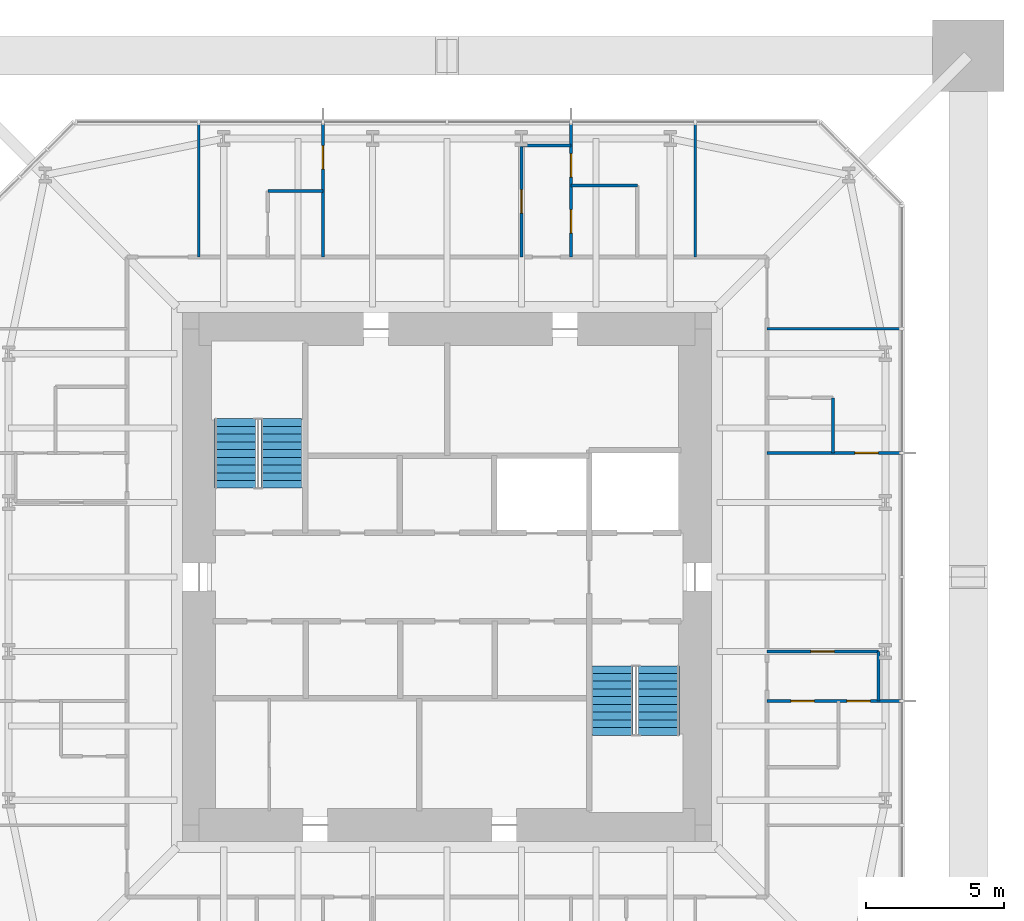
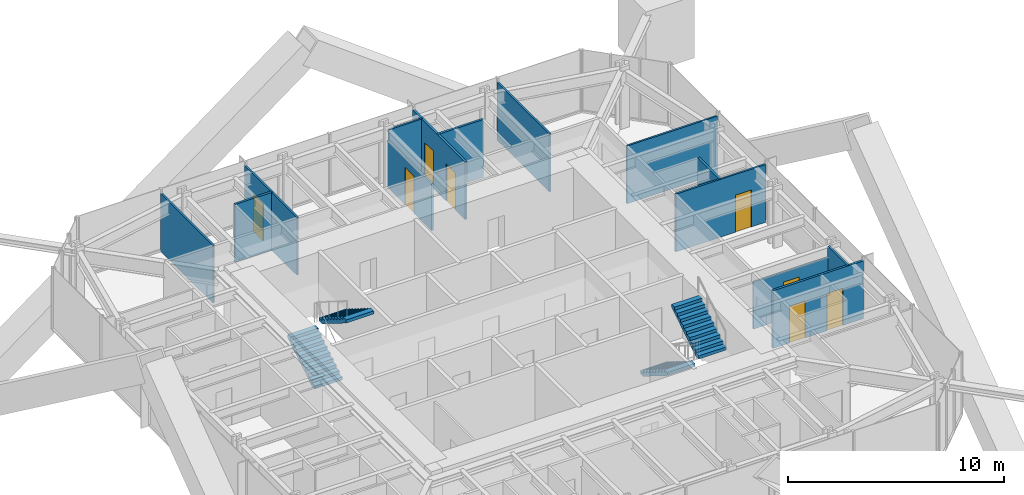
# One storey, part 9 of 10: 14 walls, 8 doors, 4 stair flights, 8 openings, 2 elements without a shape of their own.
"""IFC4 building model written with IfcOpenShell, lengths in metres."""

from ifc_helpers import new_model, si_unit, direction, frame, frame_2d, origin, place, context, subcontext, project, spatial, polyline, rectangle, outline, extrude, material, layer, layer_set, constituent, constituent_set, type_object, element, fill, aggregate, save


model = new_model("IFC4")

# Units and contexts
model_context = context("Model", 3, precision=1e-05, world=origin(), true_north=direction((0.0, 1.0)))
body_context = subcontext(model_context, "Body", "Model", "MODEL_VIEW")
ifc_project = project(units=[si_unit("LENGTHUNIT", "METRE"), si_unit("AREAUNIT", "SQUARE_METRE"), si_unit("VOLUMEUNIT", "CUBIC_METRE"), si_unit("PLANEANGLEUNIT", "RADIAN"), si_unit("MASSUNIT", "GRAM", prefix="KILO")], contexts=[model_context])

# Site, building, storey
site_placement = place(None, origin())
site = spatial("IfcSite", under=ifc_project, at=site_placement, CompositionType="ELEMENT")
building_placement = place(site_placement, origin())
building = spatial("IfcBuilding", under=site, at=building_placement, Name="Iwan Alto Co-Living Towers", CompositionType="ELEMENT")
storey_placement = place(building_placement, frame((0.0, 0.0, 246.5)))
storey = spatial("IfcBuildingStorey", under=building, at=storey_placement, Name="L67", CompositionType="ELEMENT", Elevation=246.5)

# Wall, opening, door
ifc_material_1 = material(Name="Gypsum board")
ifc_layer_1 = layer(ifc_material_1, 0.012451171875, Name="Board", Category="Finish")
ifc_material_2 = material(Name="Steel ASTM A1003 ST33H cold-formed studs", Category="steel")
ifc_layer_2 = layer(ifc_material_2, 0.074951171875, Name="Studs", Category="Framing")
ifc_layer_3 = layer(ifc_material_1, 0.012451171875, Name="Board", Category="Finish")
ifc_layer_set_1 = layer_set([ifc_layer_1, ifc_layer_2, ifc_layer_3], Name="PARTITION 100")
wall_type_1 = type_object("IfcWallType", Name="PARTITION 100", PredefinedType="PARTITIONING", material=ifc_layer_set_1)
wall_1_placement = place(storey_placement, frame((11.60009765625, -2.699951171875, 0.0), z_axis=(0.0, 0.0, 1.0), x_axis=(1.0, 0.0, 0.0)))
wall_1 = element("IfcWall", 1, at=wall_1_placement, inside=storey, type_object=wall_type_1, Name="Partition L67", PredefinedType="PARTITIONING", context=body_context, shape_type="SweptSolid", body=[
    extrude(rectangle(XDim=4.0498046875, YDim=0.10009765625, at=frame_2d((2.02490234375, 0.0))), origin(), (0.0, 0.0, 1.0), 2.662841796875),
])
opening_1_placement = place(wall_1_placement, frame((1.60009765625, 0.0, 0.0)))
opening_1 = element("IfcOpeningElement", 2, at=opening_1_placement, cuts=wall_1, Name="Opening D2", PredefinedType="OPENING", context=body_context, shape_type="SweptSolid", body=[
    extrude(rectangle(XDim=0.85009765625, YDim=2.10009765625, at=frame_2d((0.425048828125, 1.050048828125))), frame((0.0, 0.06005859375, 0.0), z_axis=(0.0, -1.0, 0.0), x_axis=(1.0, 0.0, 0.0)), (0.0, 0.0, 1.0), 0.1201171875),
])
ifc_material_3 = material(Name="Timber leaf in steel frame", Category="steel")
door_type = type_object("IfcDoorType", Name="ROOM DOOR 850X2100", OperationType="SINGLE_SWING_LEFT", PredefinedType="DOOR", material=ifc_material_3)
door_1_placement = place(opening_1_placement, origin())
door_1 = element("IfcDoor", 3, at=door_1_placement, inside=storey, type_object=door_type, Name="Apartment foyer door L67", OperationType="SINGLE_SWING_RIGHT", OverallHeight=2.10009765625, OverallWidth=0.85009765625, PredefinedType="DOOR", context=body_context, shape_type="SweptSolid", body=[
    extrude(rectangle(XDim=0.85009765625, YDim=2.10009765625, at=frame_2d((0.425048828125, 1.050048828125))), frame((0.0, 0.02490234375, 0.0), z_axis=(0.0, -1.0, 0.0), x_axis=(1.0, 0.0, 0.0)), (0.0, 0.0, 1.0), 0.050048828125),
])
fill(opening_1, door_1)

wall_2_placement = place(storey_placement, frame((11.60009765625, 4.5, 0.0), z_axis=(0.0, 0.0, 1.0), x_axis=(1.0, 0.0, 0.0)))
wall_2 = element("IfcWall", 4, at=wall_2_placement, inside=storey, type_object=wall_type_1, Name="Partition L67", PredefinedType="PARTITIONING", context=body_context, shape_type="SweptSolid", body=[
    extrude(rectangle(XDim=4.83984375, YDim=0.10009765625, at=frame_2d((2.419921875, 0.0))), origin(), (0.0, 0.0, 1.0), 3.27001953125),
])
opening_2_placement = place(wall_2_placement, frame((3.195068359375, 0.0, 0.0)))
opening_2 = element("IfcOpeningElement", 5, at=opening_2_placement, cuts=wall_2, Name="Opening D2", PredefinedType="OPENING", context=body_context, shape_type="SweptSolid", body=[
    extrude(rectangle(XDim=0.85009765625, YDim=2.10009765625, at=frame_2d((0.425048828125, 1.050048828125))), frame((0.0, 0.06005859375, 0.0), z_axis=(0.0, -1.0, 0.0), x_axis=(1.0, 0.0, 0.0)), (0.0, 0.0, 1.0), 0.1201171875),
])
door_2_placement = place(opening_2_placement, frame((0.85009765625, 0.0, 0.0), z_axis=(0.0, 0.0, 1.0), x_axis=(-1.0, 0.0, 0.0)))
door_2 = element("IfcDoor", 6, at=door_2_placement, inside=storey, type_object=door_type, Name="Bedroom door L67", OperationType="SINGLE_SWING_LEFT", OverallHeight=2.10009765625, OverallWidth=0.85009765625, PredefinedType="DOOR", context=body_context, shape_type="SweptSolid", body=[
    extrude(rectangle(XDim=0.85009765625, YDim=2.10009765625, at=frame_2d((0.425048828125, 1.050048828125))), frame((0.0, 0.02490234375, 0.0), z_axis=(0.0, -1.0, 0.0), x_axis=(1.0, 0.0, 0.0)), (0.0, 0.0, 1.0), 0.050048828125),
])
fill(opening_2, door_2)

# Walls
wall_3_placement = place(storey_placement, frame((11.60009765625, 9.0, 0.0), z_axis=(0.0, 0.0, 1.0), x_axis=(1.0, 0.0, 0.0)))
element("IfcWall", 7, at=wall_3_placement, inside=storey, type_object=wall_type_1, Name="Partition L67", PredefinedType="PARTITIONING", context=body_context, shape_type="SweptSolid", body=[
    extrude(rectangle(XDim=4.83984375, YDim=0.10009765625, at=frame_2d((2.419921875, 0.0))), origin(), (0.0, 0.0, 1.0), 3.27001953125),
])
for number, where, z_axis, x_axis, name in (
    (8, (2.699951171875, 15.64990234375, 0.0), (0.0, 0.0, 1.0), (1.0, 0.0, 0.0), "Partition L67"),
    (9, (15.64990234375, -4.5, 0.0), (0.0, 0.0, 1.0), (0.0, 1.0, 0.0), "Partition L67"),
):
    element("IfcWall", number, at=place(storey_placement, frame(where, z_axis=z_axis, x_axis=x_axis)), inside=storey, type_object=wall_type_1, Name=name, PredefinedType="PARTITIONING", context=body_context, shape_type="SweptSolid", body=[
        extrude(rectangle(XDim=1.800048828125, YDim=0.10009765625, at=frame_2d((0.89990234375, 0.0))), origin(), (0.0, 0.0, 1.0), 3.27001953125),
    ])
wall_4_placement = place(storey_placement, frame((9.0, 11.60009765625, 0.0), z_axis=(0.0, 0.0, 1.0), x_axis=(0.0, 1.0, 0.0)))
element("IfcWall", 10, at=wall_4_placement, inside=storey, type_object=wall_type_1, Name="Partition L67", PredefinedType="PARTITIONING", context=body_context, shape_type="SweptSolid", body=[
    extrude(rectangle(XDim=4.83984375, YDim=0.10009765625, at=frame_2d((2.419921875, 0.0))), origin(), (0.0, 0.0, 1.0), 3.27001953125),
])

# Wall, opening, door
wall_5_placement = place(storey_placement, frame((2.699951171875, 11.60009765625, 0.0), z_axis=(0.0, 0.0, 1.0), x_axis=(0.0, 1.0, 0.0)))
wall_5 = element("IfcWall", 11, at=wall_5_placement, inside=storey, type_object=wall_type_1, Name="Partition L67", PredefinedType="PARTITIONING", context=body_context, shape_type="SweptSolid", body=[
    extrude(rectangle(XDim=4.0498046875, YDim=0.10009765625, at=frame_2d((2.02490234375, 0.0))), origin(), (0.0, 0.0, 1.0), 2.662841796875),
])
opening_3_placement = place(wall_5_placement, frame((1.60009765625, 0.0, 0.0)))
opening_3 = element("IfcOpeningElement", 12, at=opening_3_placement, cuts=wall_5, Name="Opening D2", PredefinedType="OPENING", context=body_context, shape_type="SweptSolid", body=[
    extrude(rectangle(XDim=0.85009765625, YDim=2.10009765625, at=frame_2d((0.425048828125, 1.050048828125))), frame((0.0, 0.06005859375, 0.0), z_axis=(0.0, -1.0, 0.0), x_axis=(1.0, 0.0, 0.0)), (0.0, 0.0, 1.0), 0.1201171875),
])
door_3_placement = place(opening_3_placement, origin())
door_3 = element("IfcDoor", 13, at=door_3_placement, inside=storey, type_object=door_type, Name="Apartment foyer door L67", OperationType="SINGLE_SWING_RIGHT", OverallHeight=2.10009765625, OverallWidth=0.85009765625, PredefinedType="DOOR", context=body_context, shape_type="SweptSolid", body=[
    extrude(rectangle(XDim=0.85009765625, YDim=2.10009765625, at=frame_2d((0.425048828125, 1.050048828125))), frame((0.0, 0.02490234375, 0.0), z_axis=(0.0, -1.0, 0.0), x_axis=(1.0, 0.0, 0.0)), (0.0, 0.0, 1.0), 0.050048828125),
])
fill(opening_3, door_3)

wall_6_placement = place(storey_placement, frame((-4.5, 11.60009765625, 0.0), z_axis=(0.0, 0.0, 1.0), x_axis=(0.0, 1.0, 0.0)))
wall_6 = element("IfcWall", 14, at=wall_6_placement, inside=storey, type_object=wall_type_1, Name="Partition L67", PredefinedType="PARTITIONING", context=body_context, shape_type="SweptSolid", body=[
    extrude(rectangle(XDim=4.83984375, YDim=0.10009765625, at=frame_2d((2.419921875, 0.0))), origin(), (0.0, 0.0, 1.0), 3.27001953125),
])
opening_4_placement = place(wall_6_placement, frame((3.195068359375, 0.0, 0.0)))
opening_4 = element("IfcOpeningElement", 15, at=opening_4_placement, cuts=wall_6, Name="Opening D2", PredefinedType="OPENING", context=body_context, shape_type="SweptSolid", body=[
    extrude(rectangle(XDim=0.85009765625, YDim=2.10009765625, at=frame_2d((0.425048828125, 1.050048828125))), frame((0.0, 0.06005859375, 0.0), z_axis=(0.0, -1.0, 0.0), x_axis=(1.0, 0.0, 0.0)), (0.0, 0.0, 1.0), 0.1201171875),
])
door_4_placement = place(opening_4_placement, frame((0.85009765625, 0.0, 0.0), z_axis=(0.0, 0.0, 1.0), x_axis=(-1.0, 0.0, 0.0)))
door_4 = element("IfcDoor", 16, at=door_4_placement, inside=storey, type_object=door_type, Name="Bedroom door L67", OperationType="SINGLE_SWING_LEFT", OverallHeight=2.10009765625, OverallWidth=0.85009765625, PredefinedType="DOOR", context=body_context, shape_type="SweptSolid", body=[
    extrude(rectangle(XDim=0.85009765625, YDim=2.10009765625, at=frame_2d((0.425048828125, 1.050048828125))), frame((0.0, 0.02490234375, 0.0), z_axis=(0.0, -1.0, 0.0), x_axis=(1.0, 0.0, 0.0)), (0.0, 0.0, 1.0), 0.050048828125),
])
fill(opening_4, door_4)

# Wall
wall_7_placement = place(storey_placement, frame((-9.0, 11.60009765625, 0.0), z_axis=(0.0, 0.0, 1.0), x_axis=(0.0, 1.0, 0.0)))
element("IfcWall", 17, at=wall_7_placement, inside=storey, type_object=wall_type_1, Name="Partition L67", PredefinedType="PARTITIONING", context=body_context, shape_type="SweptSolid", body=[
    extrude(rectangle(XDim=4.83984375, YDim=0.10009765625, at=frame_2d((2.419921875, 0.0))), origin(), (0.0, 0.0, 1.0), 3.27001953125),
])

# Wall, openings, doors
ifc_material_4 = material(Name="Cement board")
ifc_layer_4 = layer(ifc_material_4, 0.012451171875, Name="Board", Category="Finish")
ifc_layer_5 = layer(ifc_material_2, 0.094970703125, Name="Studs", Category="Framing")
ifc_layer_6 = layer(ifc_material_4, 0.012451171875, Name="Board", Category="Finish")
ifc_layer_set_2 = layer_set([ifc_layer_4, ifc_layer_5, ifc_layer_6], Name="WET AREA PARTITION 120")
wall_type_2 = type_object("IfcWallType", Name="WET AREA PARTITION 120", PredefinedType="PARTITIONING", material=ifc_layer_set_2)
wall_8_placement = place(storey_placement, frame((11.60009765625, -4.5, 0.0), z_axis=(0.0, 0.0, 1.0), x_axis=(1.0, 0.0, 0.0)))
wall_8 = element("IfcWall", 18, at=wall_8_placement, inside=storey, type_object=wall_type_2, Name="Partition L67", PredefinedType="PARTITIONING", context=body_context, shape_type="SweptSolid", body=[
    extrude(rectangle(XDim=4.83984375, YDim=0.1201171875, at=frame_2d((2.419921875, 0.0))), origin(), (0.0, 0.0, 1.0), 3.27001953125),
])
opening_5_placement = place(wall_8_placement, frame((2.89990234375, 0.0, 0.0)))
opening_5 = element("IfcOpeningElement", 19, at=opening_5_placement, cuts=wall_8, Name="Opening D2", PredefinedType="OPENING", context=body_context, shape_type="SweptSolid", body=[
    extrude(rectangle(XDim=0.85009765625, YDim=2.10009765625, at=frame_2d((0.425048828125, 1.050048828125))), frame((0.0, 0.070068359375, 0.0), z_axis=(0.0, -1.0, 0.0), x_axis=(1.0, 0.0, 0.0)), (0.0, 0.0, 1.0), 0.14013671875),
])
opening_6_placement = place(wall_8_placement, frame((0.875, 0.0, 0.0)))
opening_6 = element("IfcOpeningElement", 20, at=opening_6_placement, cuts=wall_8, Name="Opening D2", PredefinedType="OPENING", context=body_context, shape_type="SweptSolid", body=[
    extrude(rectangle(XDim=0.85009765625, YDim=2.10009765625, at=frame_2d((0.425048828125, 1.050048828125))), frame((0.0, 0.070068359375, 0.0), z_axis=(0.0, -1.0, 0.0), x_axis=(1.0, 0.0, 0.0)), (0.0, 0.0, 1.0), 0.14013671875),
])
door_5_placement = place(opening_5_placement, frame((0.85009765625, 0.0, 0.0), z_axis=(0.0, 0.0, 1.0), x_axis=(-1.0, 0.0, 0.0)))
door_5 = element("IfcDoor", 21, at=door_5_placement, inside=storey, type_object=door_type, Name="Bedroom door L67", OperationType="SINGLE_SWING_RIGHT", OverallHeight=2.10009765625, OverallWidth=0.85009765625, PredefinedType="DOOR", context=body_context, shape_type="SweptSolid", body=[
    extrude(rectangle(XDim=0.85009765625, YDim=2.10009765625, at=frame_2d((0.425048828125, 1.050048828125))), frame((0.0, 0.02490234375, 0.0), z_axis=(0.0, -1.0, 0.0), x_axis=(1.0, 0.0, 0.0)), (0.0, 0.0, 1.0), 0.050048828125),
])
fill(opening_5, door_5)
door_6_placement = place(opening_6_placement, frame((0.85009765625, 0.0, 0.0), z_axis=(0.0, 0.0, 1.0), x_axis=(-1.0, 0.0, 0.0)))
door_6 = element("IfcDoor", 22, at=door_6_placement, inside=storey, type_object=door_type, Name="Bathroom door L67", OperationType="SINGLE_SWING_RIGHT", OverallHeight=2.10009765625, OverallWidth=0.85009765625, PredefinedType="DOOR", context=body_context, shape_type="SweptSolid", body=[
    extrude(rectangle(XDim=0.85009765625, YDim=2.10009765625, at=frame_2d((0.425048828125, 1.050048828125))), frame((0.0, 0.02490234375, 0.0), z_axis=(0.0, -1.0, 0.0), x_axis=(1.0, 0.0, 0.0)), (0.0, 0.0, 1.0), 0.050048828125),
])
fill(opening_6, door_6)

# Walls
wall_9_placement = place(storey_placement, frame((-6.5, 14.0, 0.0), z_axis=(0.0, 0.0, 1.0), x_axis=(1.0, 0.0, 0.0)))
element("IfcWall", 23, at=wall_9_placement, inside=storey, type_object=wall_type_2, Name="Partition L67", PredefinedType="PARTITIONING", context=body_context, shape_type="SweptSolid", body=[
    extrude(rectangle(XDim=2.0, YDim=0.1201171875, at=frame_2d((1.0, 0.0))), origin(), (0.0, 0.0, 1.0), 3.27001953125),
])
wall_10_placement = place(storey_placement, frame((4.5, 14.199951171875, 0.0), z_axis=(0.0, 0.0, 1.0), x_axis=(1.0, 0.0, 0.0)))
element("IfcWall", 24, at=wall_10_placement, inside=storey, type_object=wall_type_2, Name="Partition L67", PredefinedType="PARTITIONING", context=body_context, shape_type="SweptSolid", body=[
    extrude(rectangle(XDim=2.39990234375, YDim=0.1201171875, at=frame_2d((1.199951171875, 0.0))), origin(), (0.0, 0.0, 1.0), 3.27001953125),
])
wall_11_placement = place(storey_placement, frame((14.0, 4.5, 0.0), z_axis=(0.0, 0.0, 1.0), x_axis=(0.0, 1.0, 0.0)))
element("IfcWall", 25, at=wall_11_placement, inside=storey, type_object=wall_type_2, Name="Partition L67", PredefinedType="PARTITIONING", context=body_context, shape_type="SweptSolid", body=[
    extrude(rectangle(XDim=2.0, YDim=0.1201171875, at=frame_2d((1.0, 0.0))), origin(), (0.0, 0.0, 1.0), 3.27001953125),
])

# Wall, openings, doors
wall_12_placement = place(storey_placement, frame((4.5, 11.60009765625, 0.0), z_axis=(0.0, 0.0, 1.0), x_axis=(0.0, 1.0, 0.0)))
wall_12 = element("IfcWall", 26, at=wall_12_placement, inside=storey, type_object=wall_type_2, Name="Partition L67", PredefinedType="PARTITIONING", context=body_context, shape_type="SweptSolid", body=[
    extrude(rectangle(XDim=4.83984375, YDim=0.1201171875, at=frame_2d((2.419921875, 0.0))), origin(), (0.0, 0.0, 1.0), 3.27001953125),
])
opening_7_placement = place(wall_12_placement, frame((2.89990234375, 0.0, 0.0)))
opening_7 = element("IfcOpeningElement", 27, at=opening_7_placement, cuts=wall_12, Name="Opening D2", PredefinedType="OPENING", context=body_context, shape_type="SweptSolid", body=[
    extrude(rectangle(XDim=0.85009765625, YDim=2.10009765625, at=frame_2d((0.425048828125, 1.050048828125))), frame((0.0, 0.070068359375, 0.0), z_axis=(0.0, -1.0, 0.0), x_axis=(1.0, 0.0, 0.0)), (0.0, 0.0, 1.0), 0.14013671875),
])
opening_8_placement = place(wall_12_placement, frame((0.875, 0.0, 0.0)))
opening_8 = element("IfcOpeningElement", 28, at=opening_8_placement, cuts=wall_12, Name="Opening D2", PredefinedType="OPENING", context=body_context, shape_type="SweptSolid", body=[
    extrude(rectangle(XDim=0.85009765625, YDim=2.10009765625, at=frame_2d((0.425048828125, 1.050048828125))), frame((0.0, 0.070068359375, 0.0), z_axis=(0.0, -1.0, 0.0), x_axis=(1.0, 0.0, 0.0)), (0.0, 0.0, 1.0), 0.14013671875),
])
door_7_placement = place(opening_7_placement, frame((0.85009765625, 0.0, 0.0), z_axis=(0.0, 0.0, 1.0), x_axis=(-1.0, 0.0, 0.0)))
door_7 = element("IfcDoor", 29, at=door_7_placement, inside=storey, type_object=door_type, Name="Bedroom door L67", OperationType="SINGLE_SWING_RIGHT", OverallHeight=2.10009765625, OverallWidth=0.85009765625, PredefinedType="DOOR", context=body_context, shape_type="SweptSolid", body=[
    extrude(rectangle(XDim=0.85009765625, YDim=2.10009765625, at=frame_2d((0.425048828125, 1.050048828125))), frame((0.0, 0.02490234375, 0.0), z_axis=(0.0, -1.0, 0.0), x_axis=(1.0, 0.0, 0.0)), (0.0, 0.0, 1.0), 0.050048828125),
])
fill(opening_7, door_7)
door_8_placement = place(opening_8_placement, frame((0.85009765625, 0.0, 0.0), z_axis=(0.0, 0.0, 1.0), x_axis=(-1.0, 0.0, 0.0)))
door_8 = element("IfcDoor", 30, at=door_8_placement, inside=storey, type_object=door_type, Name="Bathroom door L67", OperationType="SINGLE_SWING_RIGHT", OverallHeight=2.10009765625, OverallWidth=0.85009765625, PredefinedType="DOOR", context=body_context, shape_type="SweptSolid", body=[
    extrude(rectangle(XDim=0.85009765625, YDim=2.10009765625, at=frame_2d((0.425048828125, 1.050048828125))), frame((0.0, 0.02490234375, 0.0), z_axis=(0.0, -1.0, 0.0), x_axis=(1.0, 0.0, 0.0)), (0.0, 0.0, 1.0), 0.050048828125),
])
fill(opening_8, door_8)

# Stair, stair flights
ifc_material_5 = material(Name="Steel ASTM A36", Category="steel")
ifc_constituent_1 = constituent(ifc_material_5, Name="Stringers", Category="LoadBearing")
ifc_material_6 = material(Name="Concrete f'c 30 MPa", Category="concrete")
ifc_constituent_2 = constituent(ifc_material_6, Name="Tread fill", Category="Finish")
ifc_constituent_set_1 = constituent_set(constituents=[ifc_constituent_1, ifc_constituent_2], Name="STAIR 3500 TWO-FLIGHT T1 CORE")
stair_type = type_object("IfcStairType", Name="STAIR 3500 TWO-FLIGHT T1 CORE", PredefinedType="HALF_TURN_STAIR", material=ifc_constituent_set_1)
stair_1_placement = place(storey_placement, origin())
stair_1 = element("IfcStair", 31, at=stair_1_placement, inside=storey, type_object=stair_type, Name="Stair T1-S1 L67 to L68", PredefinedType="HALF_TURN_STAIR")
ifc_constituent_3 = constituent(ifc_material_5, Name="Stringers", Category="LoadBearing")
ifc_constituent_4 = constituent(ifc_material_6, Name="Tread fill", Category="Finish")
ifc_constituent_set_2 = constituent_set(constituents=[ifc_constituent_3, ifc_constituent_4], Name="STAIR FLIGHT 10 RISERS 280 GOING")
stair_flight_type = type_object("IfcStairFlightType", Name="STAIR FLIGHT 10 RISERS 280 GOING", PredefinedType="STRAIGHT", material=ifc_constituent_set_2)
stair_flight_1_placement = place(storey_placement, frame((-7.68994140625, 3.219970703125, 0.0), z_axis=(0.0, 0.0, 1.0), x_axis=(0.0, 1.0, 0.0)))
stair_flight_1 = element("IfcStairFlight", 32, at=stair_flight_1_placement, type_object=stair_flight_type, Name="T1-S1 flight 1", NumberOfRisers=10, NumberOfTreads=9, PredefinedType="STRAIGHT", RiserHeight=0.175, TreadLength=0.28, context=body_context, shape_type="SweptSolid", body=[
    extrude(outline(polyline([(0.0, 0.0), (0.0, 0.175048828125), (0.280029296875, 0.175048828125), (0.280029296875, 0.35009765625), (0.56005859375, 0.35009765625), (0.56005859375, 0.52490234375), (0.840087890625, 0.52490234375), (0.840087890625, 0.699951171875), (1.1201171875, 0.699951171875), (1.1201171875, 0.875), (1.39990234375, 0.875), (1.39990234375, 1.050048828125), (1.679931640625, 1.050048828125), (1.679931640625, 1.22509765625), (1.9599609375, 1.22509765625), (1.9599609375, 1.39990234375), (2.239990234375, 1.39990234375), (2.239990234375, 1.574951171875), (2.52001953125, 1.574951171875), (2.52001953125, 1.75), (2.52001953125, 1.398193359375), (0.28271484375, 0.0), (0.0, 0.0)])), frame((0.0, 0.739990234375, 0.0), z_axis=(0.0, -1.0, 0.0), x_axis=(1.0, 0.0, 0.0)), (0.0, 0.0, 1.0), 1.47998046875),
])
stair_flight_2_placement = place(storey_placement, frame((-6.010009765625, 5.739990234375, 1.75), z_axis=(0.0, 0.0, 1.0), x_axis=(0.0, -1.0, 0.0)))
stair_flight_2 = element("IfcStairFlight", 33, at=stair_flight_2_placement, type_object=stair_flight_type, Name="T1-S1 flight 2", NumberOfRisers=10, NumberOfTreads=9, PredefinedType="STRAIGHT", RiserHeight=0.175, TreadLength=0.28, context=body_context, shape_type="SweptSolid", body=[
    extrude(outline(polyline([(0.0, 0.0), (0.0, 0.175048828125), (0.280029296875, 0.175048828125), (0.280029296875, 0.35009765625), (0.56005859375, 0.35009765625), (0.56005859375, 0.52490234375), (0.840087890625, 0.52490234375), (0.840087890625, 0.699951171875), (1.1201171875, 0.699951171875), (1.1201171875, 0.875), (1.39990234375, 0.875), (1.39990234375, 1.050048828125), (1.679931640625, 1.050048828125), (1.679931640625, 1.22509765625), (1.9599609375, 1.22509765625), (1.9599609375, 1.39990234375), (2.239990234375, 1.39990234375), (2.239990234375, 1.574951171875), (2.52001953125, 1.574951171875), (2.52001953125, 1.75), (2.52001953125, 1.398193359375), (0.28271484375, 0.0), (0.0, 0.0)])), frame((0.0, 0.739990234375, 0.0), z_axis=(0.0, -1.0, 0.0), x_axis=(1.0, 0.0, 0.0)), (0.0, 0.0, 1.0), 1.47998046875),
])
aggregate(stair_1, [stair_flight_1, stair_flight_2])

stair_2_placement = place(storey_placement, origin())
stair_2 = element("IfcStair", 34, at=stair_2_placement, inside=storey, type_object=stair_type, Name="Stair T1-S2 L67 to L68", PredefinedType="HALF_TURN_STAIR")
stair_flight_3_placement = place(storey_placement, frame((6.010009765625, -3.219970703125, 0.0), z_axis=(0.0, 0.0, 1.0), x_axis=(0.0, -1.0, 0.0)))
stair_flight_3 = element("IfcStairFlight", 35, at=stair_flight_3_placement, type_object=stair_flight_type, Name="T1-S2 flight 1", NumberOfRisers=10, NumberOfTreads=9, PredefinedType="STRAIGHT", RiserHeight=0.175, TreadLength=0.28, context=body_context, shape_type="SweptSolid", body=[
    extrude(outline(polyline([(0.0, 0.0), (0.0, 0.175048828125), (0.280029296875, 0.175048828125), (0.280029296875, 0.35009765625), (0.56005859375, 0.35009765625), (0.56005859375, 0.52490234375), (0.840087890625, 0.52490234375), (0.840087890625, 0.699951171875), (1.1201171875, 0.699951171875), (1.1201171875, 0.875), (1.39990234375, 0.875), (1.39990234375, 1.050048828125), (1.679931640625, 1.050048828125), (1.679931640625, 1.22509765625), (1.9599609375, 1.22509765625), (1.9599609375, 1.39990234375), (2.239990234375, 1.39990234375), (2.239990234375, 1.574951171875), (2.52001953125, 1.574951171875), (2.52001953125, 1.75), (2.52001953125, 1.398193359375), (0.28271484375, 0.0), (0.0, 0.0)])), frame((0.0, 0.739990234375, 0.0), z_axis=(0.0, -1.0, 0.0), x_axis=(1.0, 0.0, 0.0)), (0.0, 0.0, 1.0), 1.47998046875),
])
stair_flight_4_placement = place(storey_placement, frame((7.68994140625, -5.739990234375, 1.75), z_axis=(0.0, 0.0, 1.0), x_axis=(0.0, 1.0, 0.0)))
stair_flight_4 = element("IfcStairFlight", 36, at=stair_flight_4_placement, type_object=stair_flight_type, Name="T1-S2 flight 2", NumberOfRisers=10, NumberOfTreads=9, PredefinedType="STRAIGHT", RiserHeight=0.175, TreadLength=0.28, context=body_context, shape_type="SweptSolid", body=[
    extrude(outline(polyline([(0.0, 0.0), (0.0, 0.175048828125), (0.280029296875, 0.175048828125), (0.280029296875, 0.35009765625), (0.56005859375, 0.35009765625), (0.56005859375, 0.52490234375), (0.840087890625, 0.52490234375), (0.840087890625, 0.699951171875), (1.1201171875, 0.699951171875), (1.1201171875, 0.875), (1.39990234375, 0.875), (1.39990234375, 1.050048828125), (1.679931640625, 1.050048828125), (1.679931640625, 1.22509765625), (1.9599609375, 1.22509765625), (1.9599609375, 1.39990234375), (2.239990234375, 1.39990234375), (2.239990234375, 1.574951171875), (2.52001953125, 1.574951171875), (2.52001953125, 1.75), (2.52001953125, 1.398193359375), (0.28271484375, 0.0), (0.0, 0.0)])), frame((0.0, 0.739990234375, 0.0), z_axis=(0.0, -1.0, 0.0), x_axis=(1.0, 0.0, 0.0)), (0.0, 0.0, 1.0), 1.47998046875),
])
aggregate(stair_2, [stair_flight_3, stair_flight_4])

save(model, "model.ifc")
